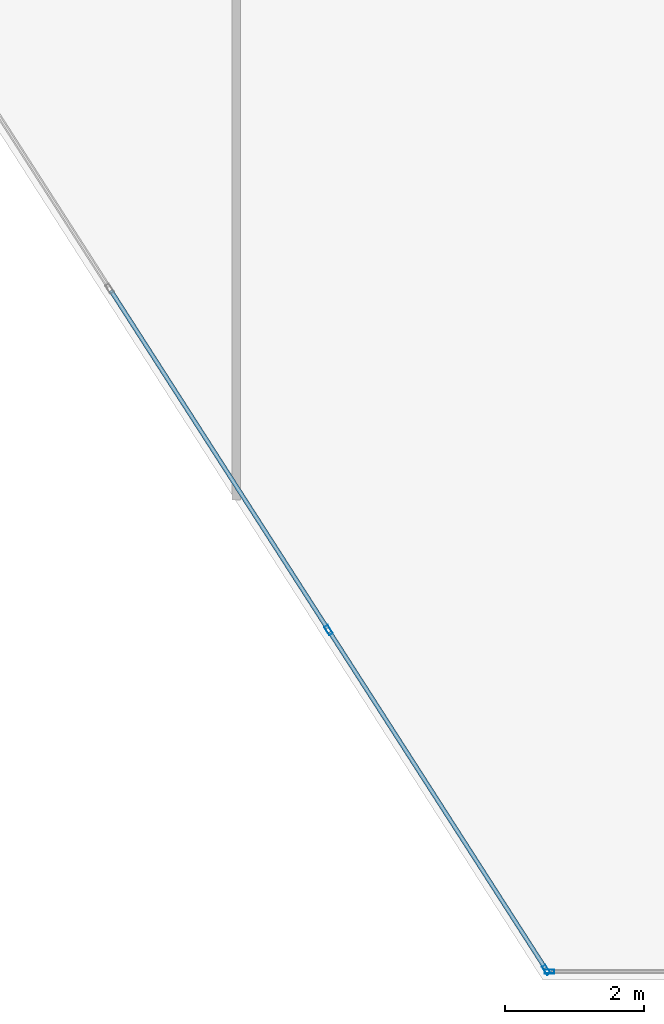
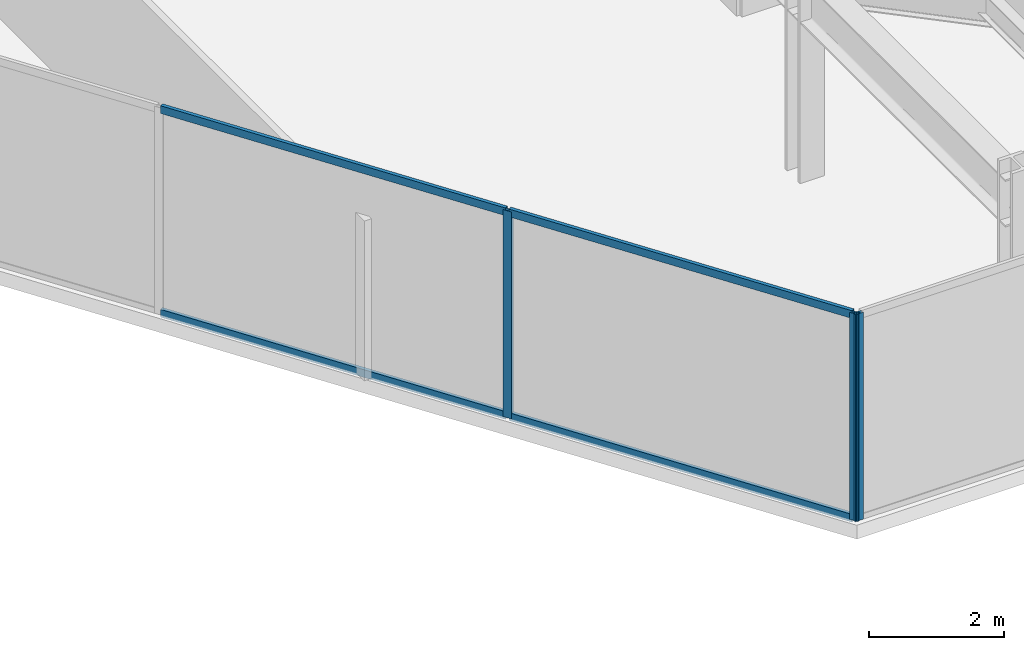
# One storey, part 15 of 26: 7 members, 2 elements without a shape of their own.
"""IFC4 building model written with IfcOpenShell, lengths in metres."""

from ifc_helpers import new_model, si_unit, direction, frame, origin, origin_2d, place, context, subcontext, project, spatial, hollow_rectangle, extrude, material, layer, layer_set, material_profile, profile_set, type_object, element, aggregate, save


model = new_model("IFC4")

# Units and contexts
model_context = context("Model", 3, precision=1e-05, world=origin(), true_north=direction((0.0, 1.0)))
body_context = subcontext(model_context, "Body", "Model", "MODEL_VIEW")
ifc_project = project(units=[si_unit("LENGTHUNIT", "METRE"), si_unit("AREAUNIT", "SQUARE_METRE"), si_unit("VOLUMEUNIT", "CUBIC_METRE"), si_unit("PLANEANGLEUNIT", "RADIAN"), si_unit("MASSUNIT", "GRAM", prefix="KILO")], contexts=[model_context])

# Site, building, storey
site_placement = place(None, origin())
site = spatial("IfcSite", under=ifc_project, at=site_placement, CompositionType="ELEMENT")
building_placement = place(site_placement, origin())
building = spatial("IfcBuilding", under=site, at=building_placement, Name="Kravanh Interchange Tower", CompositionType="ELEMENT")
storey_placement = place(building_placement, frame((0.0, 0.0, 132.0)))
storey = spatial("IfcBuildingStorey", under=building, at=storey_placement, Name="L31", CompositionType="ELEMENT", Elevation=132.0)

# Curtain wall, member
ifc_material_1 = material(Name="Anodised Bronze Aluminium", Category="aluminium")
ifc_layer = layer(ifc_material_1, 0.179931640625)
ifc_layer_set = layer_set([ifc_layer], Name="Unitised Curtain Wall System CW-Z2 Mid Office")
curtain_wall_type = type_object("IfcCurtainWallType", Name="Unitised Curtain Wall System CW-Z2 Mid Office", PredefinedType="NOTDEFINED", material=ifc_layer_set)
curtain_wall_1_placement = place(storey_placement, origin())
curtain_wall_1 = element("IfcCurtainWall", 1, at=curtain_wall_1_placement, inside=storey, type_object=curtain_wall_type, Name="L31 Unitised Curtain Wall CW-L31-03", PredefinedType="NOTDEFINED")
ifc_material_2 = material(Name="Anodised Bronze Aluminium", Category="aluminium")
ifc_material_profile_1 = material_profile(ifc_material_2, hollow_rectangle(XDim=0.06005859375, YDim=0.139892578125, WallThickness=0.00390625, at=origin_2d()), Name="ALU60X140X4")
ifc_profile_set_1 = profile_set([ifc_material_profile_1], Name="Anodised Bronze Aluminium")
member_type_1 = type_object("IfcMemberType", Name="Curtain Wall Mullion ALU60X140X4 Bronze", PredefinedType="MULLION", material=ifc_profile_set_1)
member_1_placement = place(storey_placement, frame((52.195556640625, 6.320068359375, 0.0), z_axis=(0.0, 0.0, 1.0), x_axis=(0.0, -1.0, 0.0)))
member_1 = element("IfcMember", 2, at=member_1_placement, type_object=member_type_1, Name="CW-Z2 mullion 3", PredefinedType="MULLION", context=body_context, shape_type="SweptSolid", body=[
    extrude(hollow_rectangle(XDim=0.06005859375, YDim=0.139892578125, WallThickness=0.00390625, at=origin_2d()), origin(), (0.0, 0.0, 1.0), 3.75),
])
aggregate(curtain_wall_1, [member_1])

# Curtain wall, members
curtain_wall_2_placement = place(storey_placement, origin())
curtain_wall_2 = element("IfcCurtainWall", 3, at=curtain_wall_2_placement, inside=storey, type_object=curtain_wall_type, Name="L31 Unitised Curtain Wall CW-L31-04", PredefinedType="NOTDEFINED")
member_2_placement = place(storey_placement, frame((52.1494140625, 6.34521484375, 0.0), z_axis=(0.0, 0.0, 1.0), x_axis=(-0.841879939476, -0.539664865919, 0.0)))
member_2 = element("IfcMember", 4, at=member_2_placement, type_object=member_type_1, Name="CW-Z2 mullion 1", PredefinedType="MULLION", context=body_context, shape_type="SweptSolid", body=[
    extrude(hollow_rectangle(XDim=0.06005859375, YDim=0.139892578125, WallThickness=0.00390625, at=origin_2d()), origin(), (0.0, 0.0, 1.0), 3.75),
])
member_3_placement = place(storey_placement, frame((49.024169921875, 11.220703125, 0.0), z_axis=(0.0, 0.0, 1.0), x_axis=(-0.841879939476, -0.539664865919, 0.0)))
member_3 = element("IfcMember", 5, at=member_3_placement, type_object=member_type_1, Name="CW-Z2 mullion 2", PredefinedType="MULLION", context=body_context, shape_type="SweptSolid", body=[
    extrude(hollow_rectangle(XDim=0.06005859375, YDim=0.139892578125, WallThickness=0.00390625, at=origin_2d()), origin(), (0.0, 0.0, 1.0), 3.75),
])
ifc_material_3 = material(Name="Anodised Bronze Aluminium", Category="aluminium")
ifc_material_profile_2 = material_profile(ifc_material_3, hollow_rectangle(XDim=0.06005859375, YDim=0.139892578125, WallThickness=0.00390625, at=origin_2d()), Name="ALU60X140X4")
ifc_profile_set_2 = profile_set([ifc_material_profile_2], Name="Anodised Bronze Aluminium")
member_type_2 = type_object("IfcMemberType", Name="Curtain Wall Transom ALU60X140X4 Bronze", PredefinedType="USERDEFINED", material=ifc_profile_set_2)
member_4_placement = place(storey_placement, frame((52.13330078125, 6.37060546875, 0.030029296875), z_axis=(-0.539697855812, 0.841858791266, 0.0), x_axis=(-0.841858791266, -0.539697855812, 0.0)))
member_4 = element("IfcMember", 6, at=member_4_placement, type_object=member_type_2, Name="CW-Z2 transom 1.1", ObjectType="TRANSOM", PredefinedType="USERDEFINED", context=body_context, shape_type="SweptSolid", body=[
    extrude(hollow_rectangle(XDim=0.06005859375, YDim=0.139892578125, WallThickness=0.00390625, at=origin_2d()), origin(), (0.0, 0.0, 1.0), 5.73095703125),
])
member_5_placement = place(storey_placement, frame((52.13330078125, 6.37060546875, 3.719970703125), z_axis=(-0.539697855812, 0.841858791266, 0.0), x_axis=(-0.841858791266, -0.539697855812, 0.0)))
member_5 = element("IfcMember", 7, at=member_5_placement, type_object=member_type_2, Name="CW-Z2 transom 1.2", ObjectType="TRANSOM", PredefinedType="USERDEFINED", context=body_context, shape_type="SweptSolid", body=[
    extrude(hollow_rectangle(XDim=0.06005859375, YDim=0.139892578125, WallThickness=0.00390625, at=origin_2d()), origin(), (0.0, 0.0, 1.0), 5.73095703125),
])
member_6_placement = place(storey_placement, frame((49.008056640625, 11.245849609375, 0.030029296875), z_axis=(-0.539677666788, 0.84187173368, 0.0), x_axis=(-0.84187173368, -0.539677666788, 0.0)))
member_6 = element("IfcMember", 8, at=member_6_placement, type_object=member_type_2, Name="CW-Z2 transom 2.1", ObjectType="TRANSOM", PredefinedType="USERDEFINED", context=body_context, shape_type="SweptSolid", body=[
    extrude(hollow_rectangle(XDim=0.06005859375, YDim=0.139892578125, WallThickness=0.00390625, at=origin_2d()), origin(), (0.0, 0.0, 1.0), 5.760986328125),
])
member_7_placement = place(storey_placement, frame((49.008056640625, 11.245849609375, 3.719970703125), z_axis=(-0.539677666788, 0.84187173368, 0.0), x_axis=(-0.84187173368, -0.539677666788, 0.0)))
member_7 = element("IfcMember", 9, at=member_7_placement, type_object=member_type_2, Name="CW-Z2 transom 2.2", ObjectType="TRANSOM", PredefinedType="USERDEFINED", context=body_context, shape_type="SweptSolid", body=[
    extrude(hollow_rectangle(XDim=0.06005859375, YDim=0.139892578125, WallThickness=0.00390625, at=origin_2d()), origin(), (0.0, 0.0, 1.0), 5.760986328125),
])
aggregate(curtain_wall_2, [member_2, member_3, member_4, member_5, member_6, member_7])

save(model, "model.ifc")
